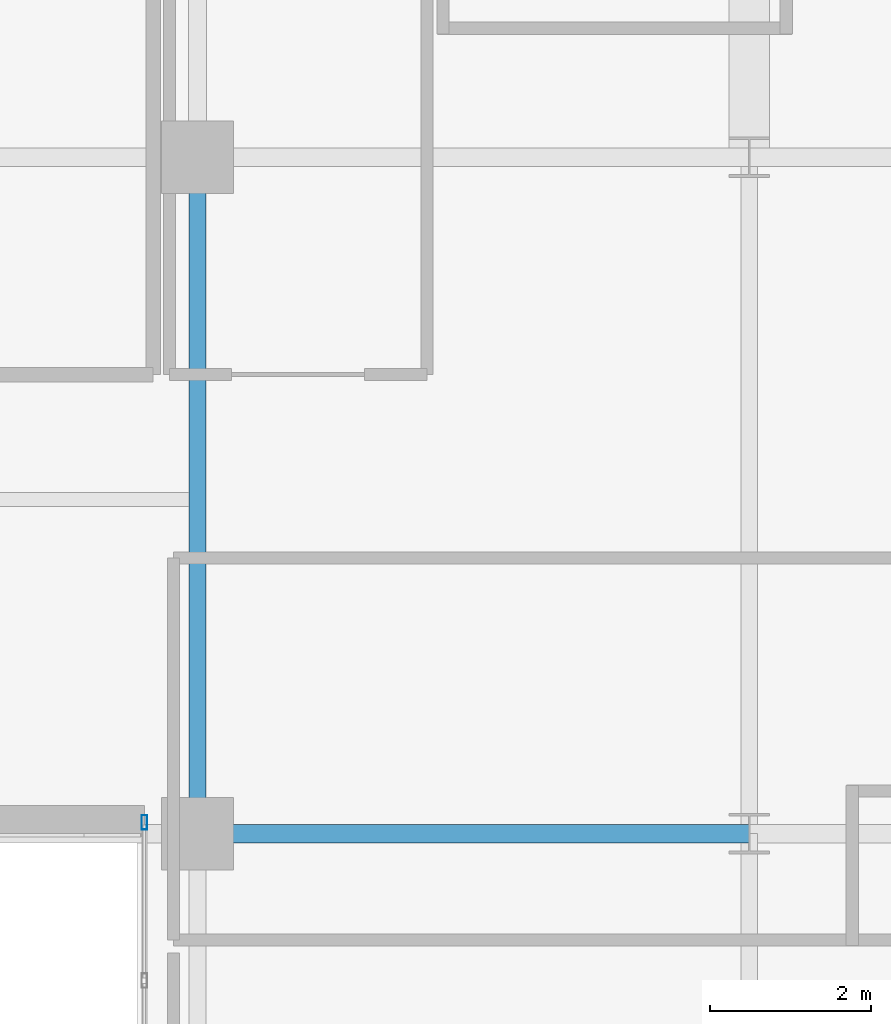
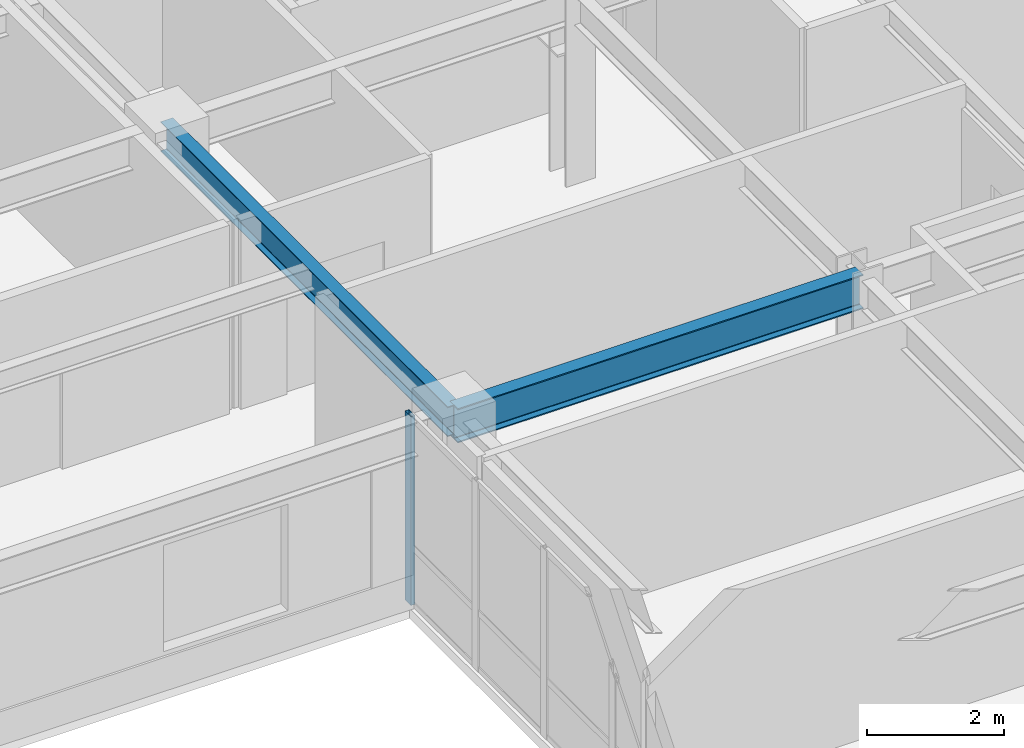
# One storey, part 11 of 24: 2 beams, 1 member, 1 element without a shape of its own.
"""IFC4 building model written with IfcOpenShell, lengths in metres."""

from ifc_helpers import new_model, si_unit, direction, frame, origin, origin_2d, place, context, subcontext, project, spatial, hollow_rectangle, i_section, extrude, source, transform, mapped, material, layer, layer_set, material_profile, profile_set, type_object, type_shapes, element, aggregate, save


model = new_model("IFC4")

# Units and contexts
model_context = context("Model", 3, precision=1e-05, world=origin(), true_north=direction((0.0, 1.0)))
body_context = subcontext(model_context, "Body", "Model", "MODEL_VIEW")
ifc_project = project(units=[si_unit("LENGTHUNIT", "METRE"), si_unit("AREAUNIT", "SQUARE_METRE"), si_unit("VOLUMEUNIT", "CUBIC_METRE"), si_unit("PLANEANGLEUNIT", "RADIAN"), si_unit("MASSUNIT", "GRAM", prefix="KILO")], contexts=[model_context])

# Site, building, storey
site_placement = place(None, origin())
site = spatial("IfcSite", under=ifc_project, at=site_placement, CompositionType="ELEMENT")
building_placement = place(site_placement, origin())
building = spatial("IfcBuilding", under=site, at=building_placement, Name="Tolvann Quenvar Hotel", CompositionType="ELEMENT")
storey_placement = place(building_placement, frame((0.0, 0.0, 118.64990234375)))
storey = spatial("IfcBuildingStorey", under=building, at=storey_placement, Name="L30", CompositionType="ELEMENT", Elevation=118.64990234375)

# Beams
ifc_material_1 = material(Name="Steel Grade 350", Category="steel")
ifc_material_profile_1 = material_profile(ifc_material_1, i_section(OverallWidth=0.22900390625, OverallDepth=0.612060546875, WebThickness=0.011962890625, FlangeThickness=0.01953125, FilletRadius=0.013916015625, at=origin_2d()), Name="610UB125")
ifc_profile_set_1 = profile_set([ifc_material_profile_1], Name="Steel Grade 350")
beam_type_1 = type_object("IfcBeamType", Name="BM_GIRD_610UB125", PredefinedType="BEAM", material=ifc_profile_set_1)
shared_shape_1 = source(origin(), body_context, "Body", "SweptSolid", [
    extrude(i_section(OverallWidth=0.22900390625, OverallDepth=0.612060546875, WebThickness=0.011962890625, FlangeThickness=0.01953125, FilletRadius=0.013916015625, at=origin_2d()), origin(), (0.0, 0.0, 1.0), 6.85009765625),
])
type_shapes(beam_type_1, [shared_shape_1])
beam_1_placement = place(storey_placement, frame((34.949951171875, 16.0, 3.064208984375), z_axis=(1.0, 0.0, 0.0), x_axis=(0.0, 1.0, 0.0)))
element("IfcBeam", 1, at=beam_1_placement, inside=storey, type_object=beam_type_1, Name="BM-L30-EW-4-F4-H4", PredefinedType="BEAM", context=body_context, shape_type="MappedRepresentation", body=[
    mapped(shared_shape_1, transform((0.0, 0.0, 0.0), x_axis=(1.0, 0.0, 0.0), y_axis=(0.0, 1.0, 0.0), z_axis=(0.0, 0.0, 1.0), scale=1.0)),
])
ifc_material_profile_2 = material_profile(ifc_material_1, i_section(OverallWidth=0.208984375, OverallDepth=0.532958984375, WebThickness=0.01025390625, FlangeThickness=0.015625, FilletRadius=0.013916015625, at=origin_2d()), Name="530UB92")
ifc_profile_set_2 = profile_set([ifc_material_profile_2], Name="Steel Grade 350")
beam_type_2 = type_object("IfcBeamType", Name="BM_GIRD_530UB92", PredefinedType="BEAM", material=ifc_profile_set_2)
shared_shape_2 = source(origin(), body_context, "Body", "SweptSolid", [
    extrude(i_section(OverallWidth=0.208984375, OverallDepth=0.532958984375, WebThickness=0.01025390625, FlangeThickness=0.015625, FilletRadius=0.013916015625, at=origin_2d()), origin(), (0.0, 0.0, 1.0), 8.39990234375),
])
type_shapes(beam_type_2, [shared_shape_2])
beam_2_placement = place(storey_placement, frame((34.949951171875, 16.0, 3.103515625), z_axis=(0.0, 1.0, 0.0), x_axis=(-1.0, 0.0, 0.0)))
element("IfcBeam", 2, at=beam_2_placement, inside=storey, type_object=beam_type_2, Name="BM-L30-NS-F4-F5", PredefinedType="BEAM", context=body_context, shape_type="MappedRepresentation", body=[
    mapped(shared_shape_2, transform((0.0, 0.0, 0.0), x_axis=(1.0, 0.0, 0.0), y_axis=(0.0, 1.0, 0.0), z_axis=(0.0, 0.0, 1.0), scale=1.0)),
])

# Curtain wall, member
ifc_material_2 = material(Name="Thermally broken anodised architectural aluminium 6063-T6 and laminated low-E glass", Category="aluminium")
ifc_layer = layer(ifc_material_2, 0.179931640625)
ifc_layer_set = layer_set([ifc_layer], Name="Thermally broken anodised architectural aluminium 6063-T6 and laminated low-E glass")
curtain_wall_type = type_object("IfcCurtainWallType", Name="CW_SYS_SLOT_03", PredefinedType="USERDEFINED", material=ifc_layer_set)
curtain_wall_placement = place(storey_placement, origin())
curtain_wall = element("IfcCurtainWall", 3, at=curtain_wall_placement, inside=storey, type_object=curtain_wall_type, Name="Curtain Wall CW-SLOT-03 (CWR-L30-E07)", ObjectType="UNITISED CURTAIN WALL", PredefinedType="USERDEFINED")
ifc_material_3 = material(Name="Anodised architectural aluminium 6063-T6 framing", Category="aluminium")
ifc_material_profile_3 = material_profile(ifc_material_3, hollow_rectangle(XDim=0.070068359375, YDim=0.179931640625, WallThickness=0.00390625, at=origin_2d()), Name="180x70x4RHS")
ifc_profile_set_3 = profile_set([ifc_material_profile_3], Name="Anodised architectural aluminium 6063-T6 framing")
member_type = type_object("IfcMemberType", Name="CW_MULL_180x70", PredefinedType="MULLION", material=ifc_profile_set_3)
shared_shape_3 = source(origin(), body_context, "Body", "SweptSolid", [
    extrude(hollow_rectangle(XDim=0.070068359375, YDim=0.179931640625, WallThickness=0.00390625, at=origin_2d()), origin(), (0.0, 0.0, 1.0), 3.3701171875),
])
type_shapes(member_type, [shared_shape_3])
member_placement = place(storey_placement, frame((34.2900390625, 16.139892578125, 0.0), z_axis=(0.0, 0.0, 1.0), x_axis=(1.0, 0.0, 0.0)))
member = element("IfcMember", 4, at=member_placement, type_object=member_type, Name="CW-SLOT-03 mullion 1", PredefinedType="MULLION", context=body_context, shape_type="MappedRepresentation", body=[
    mapped(shared_shape_3, transform((0.0, 0.0, 0.0), x_axis=(1.0, 0.0, 0.0), y_axis=(0.0, 1.0, 0.0), z_axis=(0.0, 0.0, 1.0), scale=1.0)),
])
aggregate(curtain_wall, [member])

save(model, "model.ifc")
